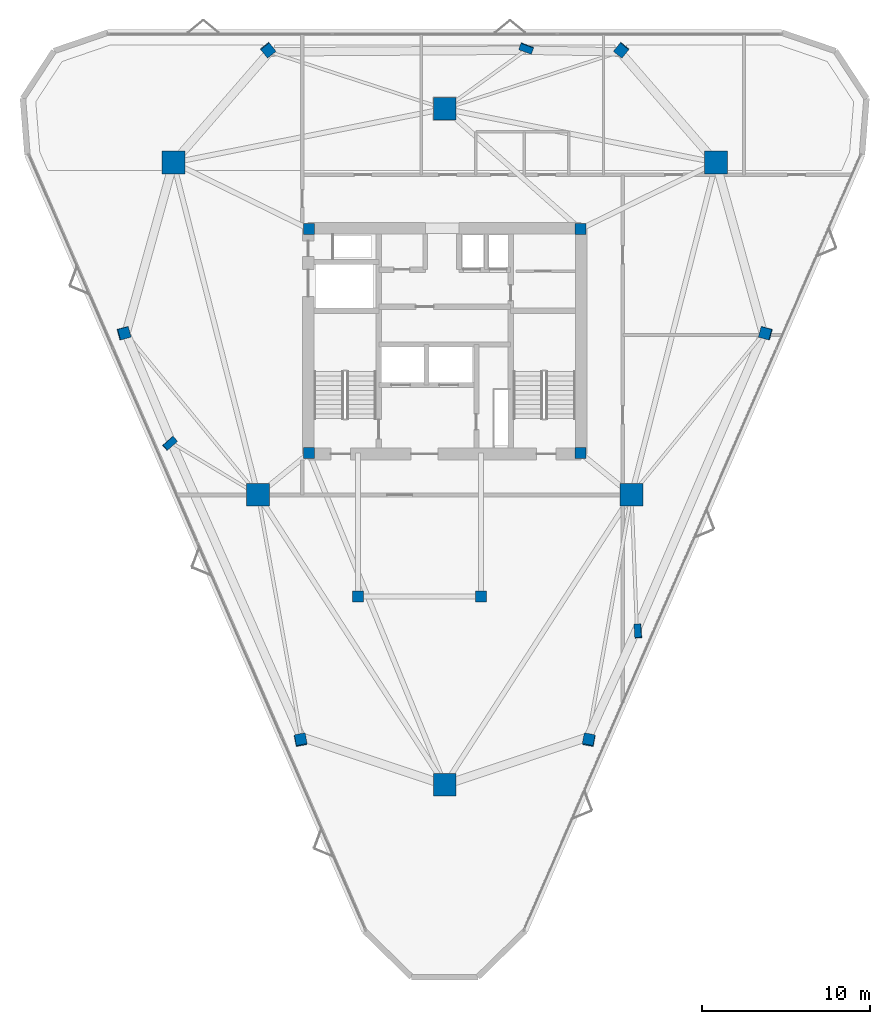
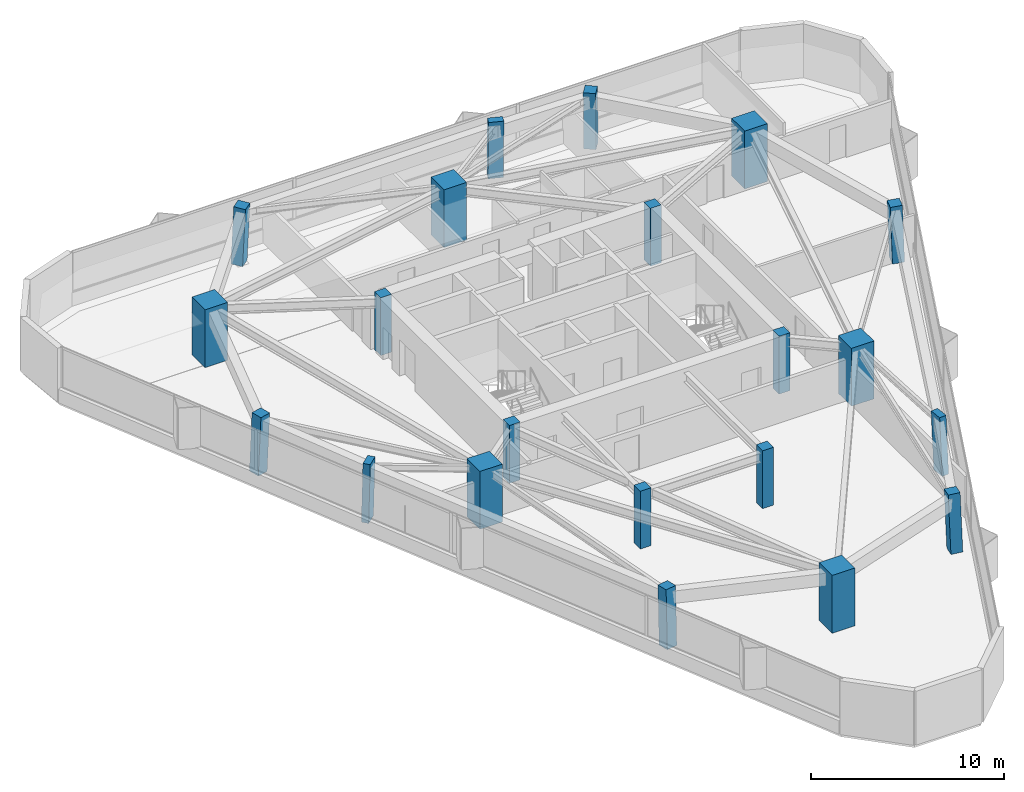
# One storey, part 1 of 13: 21 columns.
"""IFC4 building model written with IfcOpenShell, lengths in metres."""

import ifcopenshell
import ifcopenshell.guid

model = None  # the IFC model being written
_history = None  # IfcOwnerHistory: only IFC2X3 demands one
_inside = {}  # id of a spatial element -> (the spatial element, [elements in it])
_under = {}  # id of a project, library or spatial element -> (it, [spatial elements below it])
_declared = {}  # id of a project -> (the project, [libraries it declares])
_typed = {}  # id of a type object -> (the type object, [elements of that type])
_made_of = {}  # id of a material, layer set ... -> (it, [elements and type objects made of it])


def new_model(schema):
    """Start an empty IFC model of exactly this schema.

    Asked for "IFC4X3", IfcOpenShell would pick the latest addendum, in which some entities
    have other attributes; the version numbers below select the first issue.
    IFC2X3 requires an IfcOwnerHistory on every rooted entity: one is made here for all.
    """
    global model, _history
    if schema == "IFC4X3":
        model = ifcopenshell.file(schema_version=(4, 3, 0, 0))
    else:
        model = ifcopenshell.file(schema=schema)
    _inside.clear()
    _under.clear()
    _declared.clear()
    _typed.clear()
    _made_of.clear()
    _history = None
    if model.schema == "IFC2X3":
        org = make("IfcOrganization", Name="unknown")
        user = make(
            "IfcPersonAndOrganization",
            ThePerson=make("IfcPerson", FamilyName="unknown"),
            TheOrganization=org,
        )
        app = make(
            "IfcApplication",
            ApplicationDeveloper=org,
            Version="unknown",
            ApplicationFullName="unknown",
            ApplicationIdentifier="unknown",
        )
        _history = make(
            "IfcOwnerHistory",
            OwningUser=user,
            OwningApplication=app,
            ChangeAction="ADDED",
            CreationDate=0,
        )
    return model


def make(cls, **values):
    """One entity of the class cls with the attributes given. An attribute that is None is left unset."""
    return model.create_entity(
        cls, **{name: value for name, value in values.items() if value is not None}
    )


def rooted(cls, **values):
    """An entity with a GlobalId (a new one), such as an element, a storey or a relation."""
    return make(cls, GlobalId=ifcopenshell.guid.new(), OwnerHistory=_history, **values)


def si_unit(unit_type, name, prefix=None):
    """IfcSIUnit, for example si_unit("LENGTHUNIT", "METRE", prefix="MILLI")."""
    return make("IfcSIUnit", UnitType=unit_type, Prefix=prefix, Name=name)


def assignment(units):
    """IfcUnitAssignment: the units of a project."""
    return None if units is None else make("IfcUnitAssignment", Units=units)


def point(xyz):
    """IfcCartesianPoint."""
    return None if xyz is None else make("IfcCartesianPoint", Coordinates=xyz)


def direction(xyz):
    """IfcDirection."""
    return None if xyz is None else make("IfcDirection", DirectionRatios=xyz)


def frame(location, z_axis=None, x_axis=None):
    """IfcAxis2Placement3D, a coordinate frame: its origin and axes. An axis left out is left unset."""
    return make(
        "IfcAxis2Placement3D",
        Location=point(location),
        Axis=direction(z_axis),
        RefDirection=direction(x_axis),
    )


def frame_2d(location, x_axis=None):
    """IfcAxis2Placement2D, a coordinate frame in the plane: its origin and x axis."""
    return make(
        "IfcAxis2Placement2D", Location=point(location), RefDirection=direction(x_axis)
    )


def origin():
    """The frame at (0, 0, 0) with its axes left unset."""
    return frame((0.0, 0.0, 0.0))


def origin_2d():
    """The frame at (0, 0) in the plane with its x axis left unset."""
    return frame_2d((0.0, 0.0))


def place(relative_to, where):
    """IfcLocalPlacement: puts the frame where relative to a parent placement (None: the world)."""
    return make(
        "IfcLocalPlacement", PlacementRelTo=relative_to, RelativePlacement=where
    )


def context(
    kind, dimensions, precision=None, world=None, true_north=None, identifier=None
):
    """IfcGeometricRepresentationContext, for example the 3D "Model" context."""
    return make(
        "IfcGeometricRepresentationContext",
        ContextIdentifier=identifier,
        ContextType=kind,
        CoordinateSpaceDimension=dimensions,
        Precision=precision,
        WorldCoordinateSystem=world,
        TrueNorth=true_north,
    )


def subcontext(parent, identifier, kind, view, scale=None):
    """IfcGeometricRepresentationSubContext, for example "Body" below "Model"."""
    return make(
        "IfcGeometricRepresentationSubContext",
        ContextIdentifier=identifier,
        ContextType=kind,
        ParentContext=parent,
        TargetScale=scale,
        TargetView=view,
    )


def project(units=None, contexts=None):
    """IfcProject with its units and contexts."""
    return rooted(
        "IfcProject",
        Name="project",
        RepresentationContexts=contexts,
        UnitsInContext=assignment(units),
    )


def spatial(cls, under=None, at=None, **own):
    """A site, building, storey or space (cls), placed at a placement, below another one or the project."""
    s = rooted(cls, ObjectPlacement=at, **own)
    if under is not None:
        _under.setdefault(under.id(), (under, []))[1].append(s)
    return s


def profile(cls, at=None, kind="AREA", **sizes):
    """A parametric profile (cls). Its sizes go by their IFC names, for example OverallWidth=200.0."""
    return make(cls, ProfileType=kind, Position=at, **sizes)


def rectangle(**sizes):
    """IfcRectangleProfileDef."""
    return profile("IfcRectangleProfileDef", **sizes)


def extrude(swept, where, along, depth):
    """IfcExtrudedAreaSolid: the profile swept, set in the frame where, extruded along a direction by depth."""
    return make(
        "IfcExtrudedAreaSolid",
        SweptArea=swept,
        Position=where,
        ExtrudedDirection=direction(along),
        Depth=depth,
    )


def shape(context_of_items, identifier, shape_type, items):
    """IfcShapeRepresentation: the items that make up one representation, for example the "Body"."""
    return make(
        "IfcShapeRepresentation",
        ContextOfItems=context_of_items,
        RepresentationIdentifier=identifier,
        RepresentationType=shape_type,
        Items=items,
    )


def material(Name=None, Category=None):
    """IfcMaterial."""
    return make("IfcMaterial", Name=Name, Category=Category)


def material_profile(
    of_material, cross_section, Name=None, Category=None, Priority=None
):
    """IfcMaterialProfile: a cross section and its material."""
    return make(
        "IfcMaterialProfile",
        Name=Name,
        Material=of_material,
        Profile=cross_section,
        Priority=Priority,
        Category=Category,
    )


def profile_set(profiles, Name=None, composite=None):
    """IfcMaterialProfileSet."""
    return make(
        "IfcMaterialProfileSet",
        Name=Name,
        MaterialProfiles=profiles,
        CompositeProfile=composite,
    )


def made_of(thing, what):
    """Note that an element or type object is made of a material, layer set ...; save() writes the relation."""
    if what is not None:
        _made_of.setdefault(what.id(), (what, []))[1].append(thing)
    return thing


def type_object(cls, material=None, **own):
    """A type object (cls), such as IfcWallType, which elements share."""
    return made_of(rooted(cls, **own), material)


def element(
    cls,
    number,
    at=None,
    inside=None,
    cuts=None,
    type_object=None,
    material=None,
    context=None,
    identifier="Body",
    shape_type=None,
    held_by="IfcProductDefinitionShape",
    body=None,
    shapes=None,
    **own,
):
    """One element of the class cls, such as IfcWall. Its Tag is "e" and its number.

    at: its placement. inside: the storey or other place that contains it. cuts: it is an
    opening in that element (IfcRelVoidsElement). A single representation is given by context,
    identifier, shape_type and body (its items); several are given by shapes. held_by: the class
    of the entity that holds the representations. save() writes the other relations.
    """
    e = rooted(cls, Tag="e%d" % number, ObjectPlacement=at, **own)
    if body is not None:
        shapes = [shape(context, identifier, shape_type, body)]
    if shapes is not None:
        e.Representation = make(held_by, Representations=shapes)
    if inside is not None:
        _inside.setdefault(inside.id(), (inside, []))[1].append(e)
    if cuts is not None:
        rooted(
            "IfcRelVoidsElement", RelatingBuildingElement=cuts, RelatedOpeningElement=e
        )
    if type_object is not None:
        _typed.setdefault(type_object.id(), (type_object, []))[1].append(e)
    return made_of(e, material)


def aggregate(whole, parts):
    """IfcRelAggregates: a whole, such as a stair, and the parts it consists of."""
    return rooted("IfcRelAggregates", RelatingObject=whole, RelatedObjects=parts)


def save(model, path):
    """Write the relations noted so far, then the file.

    IfcRelAggregates (storeys below a building ...), IfcRelContainedInSpatialStructure (elements
    in a storey), IfcRelDefinesByType, IfcRelAssociatesMaterial and IfcRelDeclares: one each for
    every whole, place, type object, material and project.
    """
    for whole, parts in _under.values():
        aggregate(whole, parts)
    for where, things in _inside.values():
        rooted(
            "IfcRelContainedInSpatialStructure",
            RelatedElements=things,
            RelatingStructure=where,
        )
    for kind, things in _typed.values():
        rooted("IfcRelDefinesByType", RelatedObjects=things, RelatingType=kind)
    for what, things in _made_of.values():
        rooted("IfcRelAssociatesMaterial", RelatedObjects=things, RelatingMaterial=what)
    for by, libraries in _declared.values():
        rooted("IfcRelDeclares", RelatingContext=by, RelatedDefinitions=libraries)
    model.write(path)


model = new_model("IFC4")

# Units and contexts
model_context = context("Model", 3, precision=1e-05, world=origin(), true_north=direction((0.0, 1.0)))
body_context = subcontext(model_context, "Body", "Model", "MODEL_VIEW")
ifc_project = project(units=[si_unit("LENGTHUNIT", "METRE"), si_unit("AREAUNIT", "SQUARE_METRE"), si_unit("VOLUMEUNIT", "CUBIC_METRE"), si_unit("PLANEANGLEUNIT", "RADIAN"), si_unit("MASSUNIT", "GRAM", prefix="KILO")], contexts=[model_context])

# Site, building, storey
site_placement = place(None, origin())
site = spatial("IfcSite", under=ifc_project, at=site_placement, CompositionType="ELEMENT")
building_placement = place(site_placement, origin())
building = spatial("IfcBuilding", under=site, at=building_placement, Name="Talyreon Biosciences Tower", CompositionType="ELEMENT")
storey_placement = place(building_placement, frame((0.0, 0.0, 212.25)))
storey = spatial("IfcBuildingStorey", under=building, at=storey_placement, Name="L56", CompositionType="ELEMENT", Elevation=212.25)

# Columns
ifc_material_1 = material(Name="Precast concrete C45/55", Category="concrete")
ifc_material_profile_1 = material_profile(ifc_material_1, rectangle(XDim=0.800048828125, YDim=0.39990234375, at=origin_2d()), Name="RC 800x400")
ifc_profile_set_1 = profile_set([ifc_material_profile_1], Name="Precast concrete C45/55")
column_type_1 = type_object("IfcColumnType", Name="FacadePilaster_800x400", PredefinedType="PILASTER", material=ifc_profile_set_1)
column_1_placement = place(storey_placement, frame((77.47802734375, 50.775634765625, 0.0029296875), z_axis=(-0.019612004119, 0.038286915892, 0.999074312234), x_axis=(0.063121758282, -0.997225618365, 0.039455160718)))
element("IfcColumn", 1, at=column_1_placement, inside=storey, type_object=column_type_1, Name="L56 Facade Pilaster PL-SE", PredefinedType="PILASTER", context=body_context, shape_type="SweptSolid", body=[
    extrude(rectangle(XDim=0.800048828125, YDim=0.39990234375, at=origin_2d()), origin(), (0.0, 0.0, 1.0), 3.6474609375),
])
column_2_placement = place(storey_placement, frame((70.84521484375, 85.390625, 0.0029296875), z_axis=(-0.01238655289, -0.033544124313, 0.999360478022), x_axis=(-0.9380871136, 0.346399433166, 0.0)))
element("IfcColumn", 2, at=column_2_placement, inside=storey, type_object=column_type_1, Name="L56 Facade Pilaster PL-N", PredefinedType="PILASTER", context=body_context, shape_type="SweptSolid", body=[
    extrude(rectangle(XDim=0.800048828125, YDim=0.39990234375, at=origin_2d()), origin(), (0.0, 0.0, 1.0), 3.646484375),
])
column_3_placement = place(storey_placement, frame((49.6767578125, 61.928466796875, 0.0029296875), z_axis=(0.032006476949, 0.010512587617, 0.999432374368), x_axis=(0.746551372613, 0.664609895314, -0.030898787999)))
element("IfcColumn", 3, at=column_3_placement, inside=storey, type_object=column_type_1, Name="L56 Facade Pilaster PL-SW", PredefinedType="PILASTER", context=body_context, shape_type="SweptSolid", body=[
    extrude(rectangle(XDim=0.800048828125, YDim=0.39990234375, at=origin_2d()), origin(), (0.0, 0.0, 1.0), 3.64599609375),
])
ifc_material_2 = material(Name="Concrete C50/60", Category="concrete")
ifc_material_profile_2 = material_profile(ifc_material_2, rectangle(XDim=1.35009765625, YDim=1.35009765625, at=origin_2d()), Name="RC 1350x1350")
ifc_profile_set_2 = profile_set([ifc_material_profile_2], Name="Concrete C50/60")
column_type_2 = type_object("IfcColumnType", Name="MegaColumn_1350", PredefinedType="COLUMN", material=ifc_profile_set_2)
for number, where, z_axis, x_axis, name in (
    (4, (66.0, 41.6669921875, 0.0), (0.0, 0.0, 1.0), (1.0, 0.0, 0.0), "L56 Composite Mega-Column MC1"),
    (5, (82.102294921875, 78.5986328125, 0.0), (0.0, 0.0, 1.0), (1.0, 0.0, 0.0), "L56 Composite Mega-Column MC2"),
    (6, (49.897705078125, 78.5986328125, 0.0), (0.0, 0.0, 1.0), (1.0, 0.0, 0.0), "L56 Composite Mega-Column MC3"),
    (7, (77.086181640625, 58.88037109375, 0.0), (0.0, 0.0, 1.0), (1.0, 0.0, 0.0), "L56 Composite Mega-Column MC4"),
    (8, (66.0, 81.788818359375, 0.0), (0.0, 0.0, 1.0), (1.0, 0.0, 0.0), "L56 Composite Mega-Column MC5"),
    (9, (54.913818359375, 58.88037109375, 0.0), (0.0, 0.0, 1.0), (1.0, 0.0, 0.0), "L56 Composite Mega-Column MC6"),
):
    element("IfcColumn", number, at=place(storey_placement, frame(where, z_axis=z_axis, x_axis=x_axis)), inside=storey, type_object=column_type_2, Name=name, PredefinedType="COLUMN", context=body_context, shape_type="SweptSolid", body=[
        extrude(rectangle(XDim=1.35009765625, YDim=1.35009765625, at=origin_2d()), origin(), (0.0, 0.0, 1.0), 3.64990234375),
    ])
ifc_material_profile_3 = material_profile(ifc_material_2, rectangle(XDim=0.64990234375, YDim=0.64990234375, at=origin_2d()), Name="RC 650x650")
ifc_profile_set_3 = profile_set([ifc_material_profile_3], Name="Concrete C50/60")
column_type_3 = type_object("IfcColumnType", Name="PerimeterColumn_650", PredefinedType="COLUMN", material=ifc_profile_set_3)
for number, where, z_axis, x_axis, name in (
    (10, (57.949951171875, 61.35009765625, 0.0), (0.0, 0.0, 1.0), (1.0, 0.0, 0.0), "L56 Core Column CC1"),
    (11, (74.050048828125, 61.35009765625, 0.0), (0.0, 0.0, 1.0), (1.0, 0.0, 0.0), "L56 Core Column CC2"),
    (12, (74.050048828125, 74.64990234375, 0.0), (0.0, 0.0, 1.0), (1.0, 0.0, 0.0), "L56 Core Column CC3"),
    (13, (57.949951171875, 74.64990234375, 0.0), (0.0, 0.0, 1.0), (1.0, 0.0, 0.0), "L56 Core Column CC4"),
    (14, (60.85009765625, 52.840087890625, 0.0), (0.0, 0.0, 1.0), (1.0, 0.0, 0.0), "L56 Core Column CSW"),
    (15, (68.14990234375, 52.840087890625, 0.0), (0.0, 0.0, 1.0), (1.0, 0.0, 0.0), "L56 Core Column CSE"),
):
    element("IfcColumn", number, at=place(storey_placement, frame(where, z_axis=z_axis, x_axis=x_axis)), inside=storey, type_object=column_type_3, Name=name, PredefinedType="COLUMN", context=body_context, shape_type="SweptSolid", body=[
        extrude(rectangle(XDim=0.64990234375, YDim=0.64990234375, at=origin_2d()), origin(), (0.0, 0.0, 1.0), 3.64990234375),
    ])
column_4_placement = place(storey_placement, frame((74.559814453125, 44.3095703125, 0.0029296875), z_axis=(-0.012308213911, 0.054517360531, 0.99843696109), x_axis=(-0.187007822405, -0.981020072492, 0.051261015661)))
element("IfcColumn", 16, at=column_4_placement, inside=storey, type_object=column_type_3, Name="L56 Tapering Perimeter Column PC-SE1", PredefinedType="COLUMN", context=body_context, shape_type="SweptSolid", body=[
    extrude(rectangle(XDim=0.64990234375, YDim=0.64990234375, at=origin_2d()), origin(), (0.0, 0.0, 1.0), 3.649658203125),
])
column_5_placement = place(storey_placement, frame((85.057861328125, 68.47412109375, 0.0029296875), z_axis=(-0.039229493406, -0.00569028488, 0.999214024874), x_axis=(0.964171438369, -0.26277668688, 0.036357258777)))
element("IfcColumn", 17, at=column_5_placement, inside=storey, type_object=column_type_3, Name="L56 Tapering Perimeter Column PC-SE2", PredefinedType="COLUMN", context=body_context, shape_type="SweptSolid", body=[
    extrude(rectangle(XDim=0.64990234375, YDim=0.64990234375, at=origin_2d()), origin(), (0.0, 0.0, 1.0), 3.64697265625),
])
for number, where, z_axis, x_axis, name in (
    (18, (76.498046875, 85.290771484375, 0.0029296875), (-0.026907963191, -0.033534551141, 0.999075270136), (-0.779956681152, 0.625833504637, 0.0), "L56 Tapering Perimeter Column PC-N1"),
    (19, (55.501953125, 85.290771484375, 0.0029296875), (0.026907963191, -0.033534551141, 0.999075270136), (-0.779956681152, -0.625833504637, 0.0), "L56 Tapering Perimeter Column PC-N2"),
):
    element("IfcColumn", number, at=place(storey_placement, frame(where, z_axis=z_axis, x_axis=x_axis)), inside=storey, type_object=column_type_3, Name=name, PredefinedType="COLUMN", context=body_context, shape_type="SweptSolid", body=[
        extrude(rectangle(XDim=0.64990234375, YDim=0.64990234375, at=origin_2d()), origin(), (0.0, 0.0, 1.0), 3.6474609375),
    ])
column_6_placement = place(storey_placement, frame((46.942138671875, 68.47412109375, 0.0029296875), z_axis=(0.039229493406, -0.00569028488, 0.999214024874), x_axis=(0.964171438369, 0.26277668688, -0.036357258777)))
element("IfcColumn", 20, at=column_6_placement, inside=storey, type_object=column_type_3, Name="L56 Tapering Perimeter Column PC-SW1", PredefinedType="COLUMN", context=body_context, shape_type="SweptSolid", body=[
    extrude(rectangle(XDim=0.64990234375, YDim=0.64990234375, at=origin_2d()), origin(), (0.0, 0.0, 1.0), 3.64697265625),
])
column_7_placement = place(storey_placement, frame((57.440185546875, 44.3095703125, 0.0029296875), z_axis=(0.012308213911, 0.054517360531, 0.99843696109), x_axis=(-0.187007822405, 0.981020072492, -0.051261015661)))
element("IfcColumn", 21, at=column_7_placement, inside=storey, type_object=column_type_3, Name="L56 Tapering Perimeter Column PC-SW2", PredefinedType="COLUMN", context=body_context, shape_type="SweptSolid", body=[
    extrude(rectangle(XDim=0.64990234375, YDim=0.64990234375, at=origin_2d()), origin(), (0.0, 0.0, 1.0), 3.649658203125),
])

save(model, "model.ifc")
